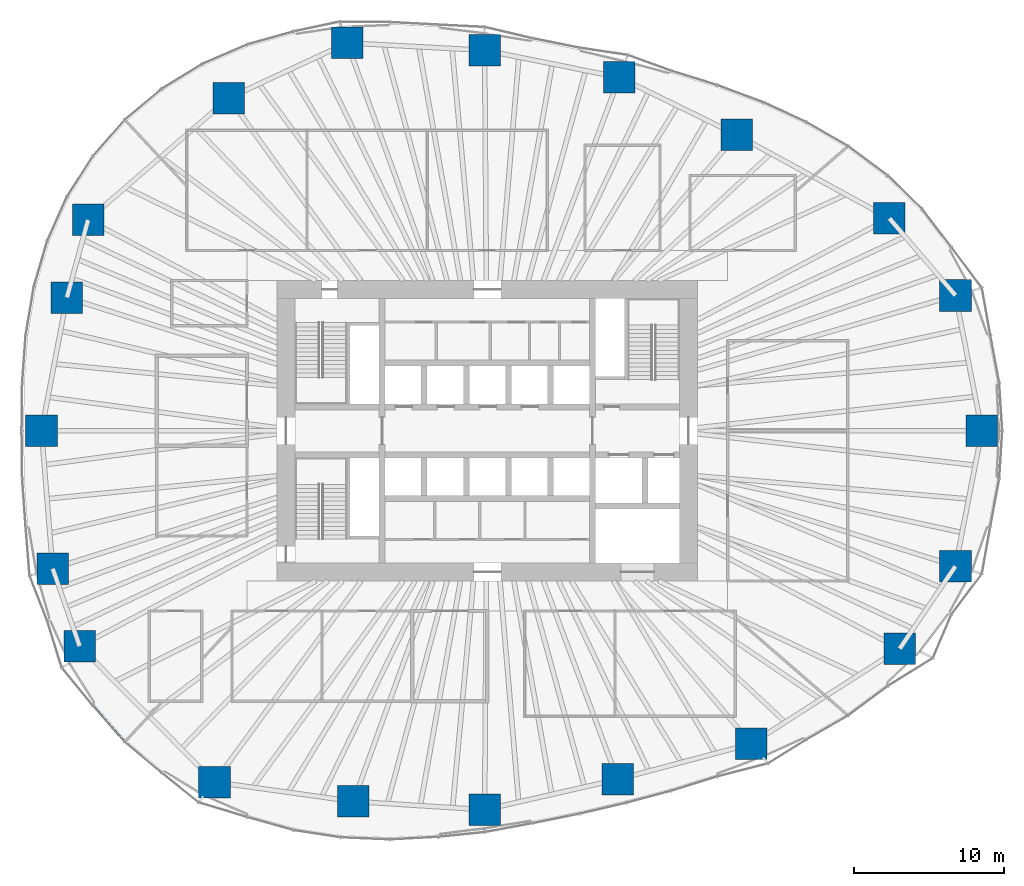
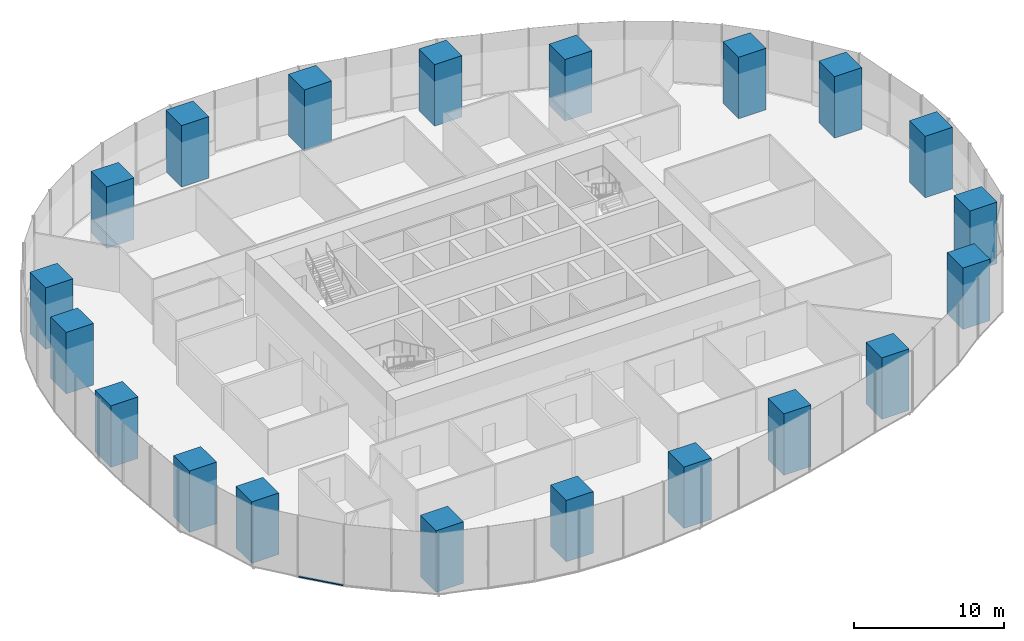
# One storey, part 1 of 20: 20 columns, 1 member, 1 element without a shape of its own.
"""IFC4 building model written with IfcOpenShell, lengths in metres."""

from ifc_helpers import new_model, si_unit, direction, frame, origin, origin_2d, place, context, subcontext, project, spatial, rectangle, extrude, material, material_profile, profile_set, type_object, element, aggregate, save


model = new_model("IFC4")

# Units and contexts
model_context = context("Model", 3, precision=1e-05, world=origin(), true_north=direction((0.0, 1.0)))
body_context = subcontext(model_context, "Body", "Model", "MODEL_VIEW")
ifc_project = project(units=[si_unit("LENGTHUNIT", "METRE"), si_unit("AREAUNIT", "SQUARE_METRE"), si_unit("VOLUMEUNIT", "CUBIC_METRE"), si_unit("PLANEANGLEUNIT", "RADIAN"), si_unit("MASSUNIT", "GRAM", prefix="KILO")], contexts=[model_context])

# Site, building, storey
site_placement = place(None, origin())
site = spatial("IfcSite", under=ifc_project, at=site_placement, CompositionType="ELEMENT")
building_placement = place(site_placement, origin())
building = spatial("IfcBuilding", under=site, at=building_placement, Name="Ghaith Harvest Tower", CompositionType="ELEMENT")
storey_placement = place(building_placement, frame((0.0, 0.0, 30.0)))
storey = spatial("IfcBuildingStorey", under=building, at=storey_placement, Name="L06", CompositionType="ELEMENT", Elevation=30.0)

# Columns
ifc_material_1 = material(Name="Concrete C70/85", Category="concrete")
ifc_material_profile_1 = material_profile(ifc_material_1, rectangle(XDim=2.10009765625, YDim=2.10009765625, at=origin_2d()), Name="RC2100X2100")
ifc_profile_set_1 = profile_set([ifc_material_profile_1], Name="Concrete C70/85")
column_type = type_object("IfcColumnType", Name="TC1 RC2100X2100", PredefinedType="COLUMN", material=ifc_profile_set_1)
for number, where, z_axis, x_axis, name in (
    (1, (32.925048828125, 0.0, 0.0), (0.0, 0.0, 1.0), (1.0, 0.0, 0.0), "Perimeter column C01"),
    (2, (31.166015625, 9.008056640625, 0.0), (0.0, 0.0, 1.0), (1.0, 0.0, 0.0), "Perimeter column C02"),
    (3, (26.763916015625, 14.14697265625, 0.0), (0.0, 0.0, 1.0), (1.0, 0.0, 0.0), "Perimeter column C03"),
    (4, (16.60791015625, 19.695068359375, 0.0), (0.0, 0.0, 1.0), (1.0, 0.0, 0.0), "Perimeter column C04"),
    (5, (8.794921875, 23.527099609375, 0.0), (0.0, 0.0, 1.0), (1.0, 0.0, 0.0), "Perimeter column C05"),
    (6, (-0.173095703125, 25.326904296875, 0.0), (0.0, 0.0, 1.0), (1.0, 0.0, 0.0), "Perimeter column C06"),
    (7, (-9.325927734375, 25.821044921875, 0.0), (0.0, 0.0, 1.0), (1.0, 0.0, 0.0), "Perimeter column C07"),
    (8, (-17.201904296875, 22.14990234375, 0.0), (0.0, 0.0, 1.0), (1.0, 0.0, 0.0), "Perimeter column C08"),
    (9, (-26.572998046875, 14.0458984375, 0.0), (0.0, 0.0, 1.0), (1.0, 0.0, 0.0), "Perimeter column C09"),
    (10, (-27.98291015625, 8.867919921875, 0.0), (0.0, 0.0, 1.0), (1.0, 0.0, 0.0), "Perimeter column C10"),
    (11, (-29.675048828125, 0.0, 0.0), (0.0, 0.0, 1.0), (1.0, 0.0, 0.0), "Perimeter column C11"),
    (12, (-28.929931640625, -9.16796875, 0.0), (0.0, 0.0, 1.0), (1.0, 0.0, 0.0), "Perimeter column C12"),
    (13, (-27.132080078125, -14.341064453125, 0.0), (0.0, 0.0, 1.0), (1.0, 0.0, 0.0), "Perimeter column C13"),
    (14, (-18.157958984375, -23.3798828125, 0.0), (0.0, 0.0, 1.0), (1.0, 0.0, 0.0), "Perimeter column C14"),
    (15, (-8.908935546875, -24.66796875, 0.0), (0.0, 0.0, 1.0), (1.0, 0.0, 0.0), "Perimeter column C15"),
    (16, (-0.173095703125, -25.22412109375, 0.0), (0.0, 0.0, 1.0), (1.0, 0.0, 0.0), "Perimeter column C16"),
    (17, (8.674072265625, -23.202880859375, 0.0), (0.0, 0.0, 1.0), (1.0, 0.0, 0.0), "Perimeter column C17"),
    (18, (17.572021484375, -20.8369140625, 0.0), (0.0, 0.0, 1.0), (1.0, 0.0, 0.0), "Perimeter column C18"),
    (19, (27.448974609375, -14.509033203125, 0.0), (0.0, 0.0, 1.0), (1.0, 0.0, 0.0), "Perimeter column C19"),
    (20, (31.166015625, -9.008056640625, 0.0), (0.0, 0.0, 1.0), (1.0, 0.0, 0.0), "Perimeter column C20"),
):
    element("IfcColumn", number, at=place(storey_placement, frame(where, z_axis=z_axis, x_axis=x_axis)), inside=storey, type_object=column_type, Name=name, PredefinedType="COLUMN", context=body_context, shape_type="SweptSolid", body=[
        extrude(rectangle(XDim=2.10009765625, YDim=2.10009765625, at=origin_2d()), origin(), (0.0, 0.0, 1.0), 5.0),
    ])

# Curtain wall, member
ifc_material_2 = material(Name="Black anodised aluminium and fritted glass", Category="aluminium")
curtain_wall_type = type_object("IfcCurtainWallType", Name="CW-F CURTAIN WALL", PredefinedType="NOTDEFINED", material=ifc_material_2)
curtain_wall_placement = place(storey_placement, origin())
curtain_wall = element("IfcCurtainWall", 21, at=curtain_wall_placement, inside=storey, type_object=curtain_wall_type, Name="Curtain wall CW-F bay 13 L06", PredefinedType="NOTDEFINED")
ifc_material_3 = material(Name="Aluminium, black anodised", Category="aluminium")
ifc_material_profile_2 = material_profile(ifc_material_3, rectangle(XDim=0.139892578125, YDim=0.080078125, at=origin_2d()), Name="CW-F TRANSOM 140x80")
ifc_profile_set_2 = profile_set([ifc_material_profile_2], Name="Aluminium, black anodised")
member_type = type_object("IfcMemberType", Name="CW-F TRANSOM 140x80", PredefinedType="USERDEFINED", material=ifc_profile_set_2)
member_placement = place(storey_placement, frame((-26.23681640625, -18.30419921875, 0.0400390625), z_axis=(0.65923052982, -0.751940894322, 0.0), x_axis=(0.751940894322, 0.65923052982, 0.0)))
member = element("IfcMember", 22, at=member_placement, type_object=member_type, Name="CW-F transom 1 bay 13 L06", ObjectType="TRANSOM", PredefinedType="USERDEFINED", context=body_context, shape_type="SweptSolid", body=[
    extrude(rectangle(XDim=0.139892578125, YDim=0.080078125, at=origin_2d()), origin(), (0.0, 0.0, 1.0), 3.1416015625),
])
aggregate(curtain_wall, [member])

save(model, "model.ifc")
